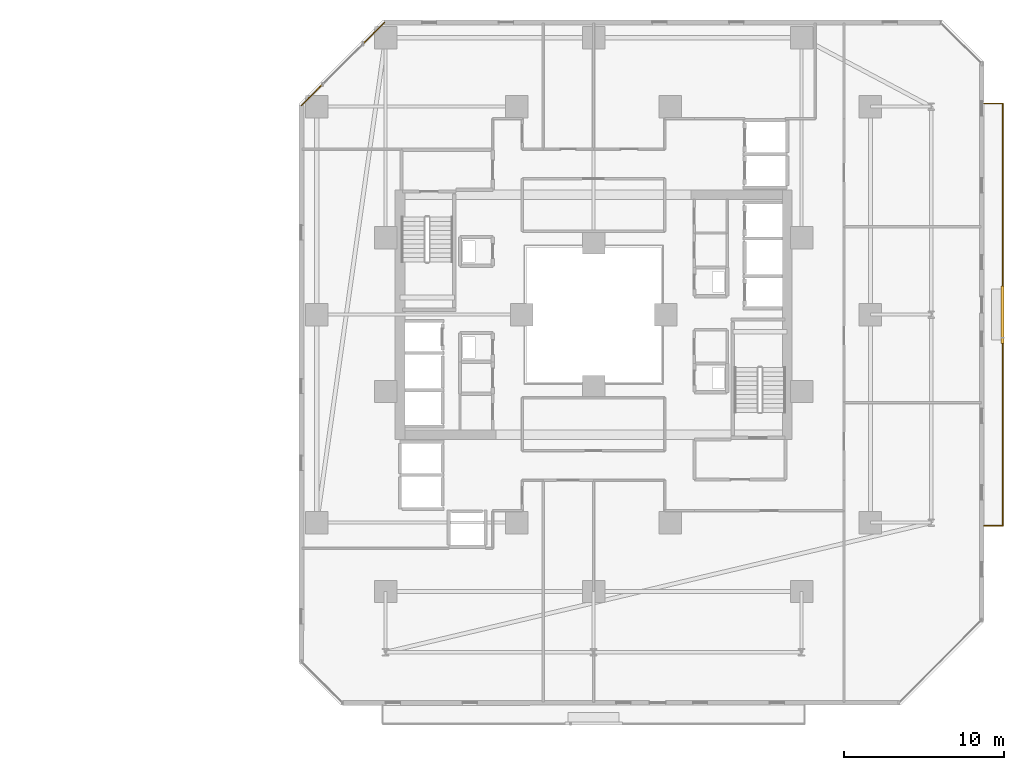
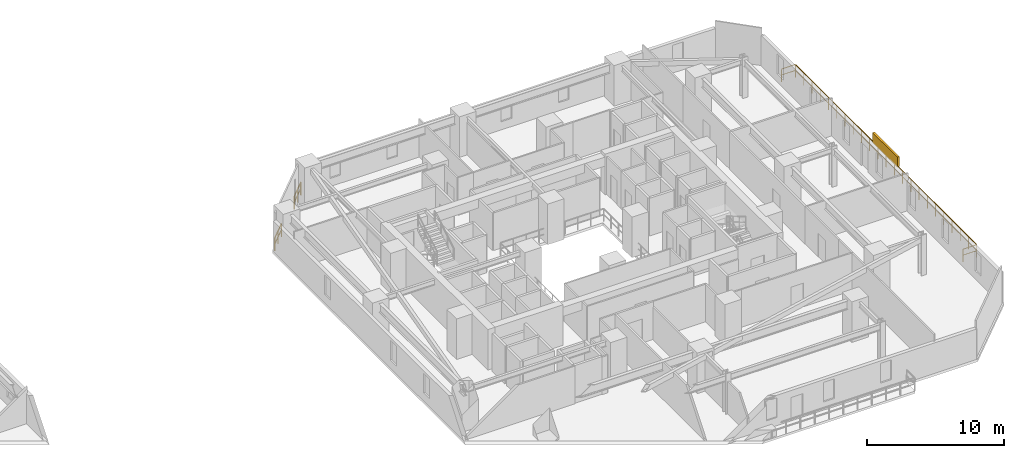
# One storey, part 33 of 33: 3 railings, 1 shading device.
"""IFC4 building model written with IfcOpenShell, lengths in metres."""

from ifc_helpers import new_model, si_unit, direction, frame, origin, origin_2d, place, context, subcontext, project, spatial, rectangle, extrude, material, type_object, element, save


model = new_model("IFC4")

# Units and contexts
model_context = context("Model", 3, precision=1e-05, world=origin(), true_north=direction((0.0, 1.0)))
body_context = subcontext(model_context, "Body", "Model", "MODEL_VIEW")
ifc_project = project(units=[si_unit("LENGTHUNIT", "METRE"), si_unit("AREAUNIT", "SQUARE_METRE"), si_unit("VOLUMEUNIT", "CUBIC_METRE"), si_unit("PLANEANGLEUNIT", "RADIAN"), si_unit("MASSUNIT", "GRAM", prefix="KILO")], contexts=[model_context])

# Site, building, storey
site_placement = place(None, origin())
site = spatial("IfcSite", under=ifc_project, at=site_placement, CompositionType="ELEMENT")
building_placement = place(site_placement, origin())
building = spatial("IfcBuilding", under=site, at=building_placement, Name="Thornwick Lancets Civic Towers", CompositionType="ELEMENT")
storey_placement = place(building_placement, frame((0.0, 0.0, 38.699951171875)))
storey = spatial("IfcBuildingStorey", under=building, at=storey_placement, Name="L09", CompositionType="ELEMENT", Elevation=38.699951171875)

# Railings
ifc_material_1 = material(Name="Terracotta-capped laminated glass balustrade S355", Category="masonry")
railing_type = type_object("IfcRailingType", Name="RAIL_TERR_GUARD", PredefinedType="GUARDRAIL", material=ifc_material_1)
railing_1_placement = place(storey_placement, frame((75.426513671875, 45.25634765625, 0.0)))
element("IfcRailing", 1, at=railing_1_placement, inside=storey, type_object=railing_type, Name="L09 Tower B Chamfer Spandrel Guard E5-1", PredefinedType="GUARDRAIL", context=body_context, shape_type="SweptSolid", body=[
    extrude(rectangle(XDim=0.048095703125, YDim=0.048095703125, at=origin_2d()), frame((0.0, 0.0, 1.1259765625), z_axis=(-0.707041649074, -0.7071719073, 0.0), x_axis=(0.7071719073, -0.707041649074, 0.0)), (0.0, 0.0, 1.0), 1.874267578125),
    extrude(rectangle(XDim=0.0419921875, YDim=0.0419921875, at=origin_2d()), frame((-0.026611328125, -0.026611328125, 0.597900390625), z_axis=(-0.707041649074, -0.7071719073, 0.0), x_axis=(0.7071719073, -0.707041649074, 0.0)), (0.0, 0.0, 1.0), 0.862060546875),
    extrude(rectangle(XDim=0.0419921875, YDim=0.0419921875, at=origin_2d()), frame((-0.689208984375, -0.689208984375, 0.597900390625), z_axis=(-0.707041649074, -0.7071719073, 0.0), x_axis=(0.7071719073, -0.707041649074, 0.0)), (0.0, 0.0, 1.0), 0.862060546875),
    extrude(rectangle(XDim=0.0419921875, YDim=0.0419921875, at=origin_2d()), origin(), (0.0, 0.0, 1.0), 1.095703125),
    extrude(rectangle(XDim=0.0419921875, YDim=0.0419921875, at=origin_2d()), frame((-0.66259765625, -0.66259765625, 0.0)), (0.0, 0.0, 1.0), 1.095703125),
    extrude(rectangle(XDim=0.0419921875, YDim=0.0419921875, at=origin_2d()), frame((-1.3251953125, -1.325439453125, 0.0)), (0.0, 0.0, 1.0), 1.095703125),
])
railing_2_placement = place(storey_placement, frame((71.569091796875, 41.398681640625, 0.0)))
element("IfcRailing", 2, at=railing_2_placement, inside=storey, type_object=railing_type, Name="L09 Tower B Chamfer Spandrel Guard E5-2", PredefinedType="GUARDRAIL", context=body_context, shape_type="SweptSolid", body=[
    extrude(rectangle(XDim=0.048095703125, YDim=0.048095703125, at=origin_2d()), frame((0.0, 0.0, 1.1259765625), z_axis=(-0.7071719073, -0.707041649074, 0.0), x_axis=(0.707041649074, -0.7071719073, 0.0)), (0.0, 0.0, 1.0), 1.874267578125),
    extrude(rectangle(XDim=0.0419921875, YDim=0.0419921875, at=origin_2d()), frame((-0.026611328125, -0.026611328125, 0.597900390625), z_axis=(-0.7071719073, -0.707041649074, 0.0), x_axis=(0.707041649074, -0.7071719073, 0.0)), (0.0, 0.0, 1.0), 0.862060546875),
    extrude(rectangle(XDim=0.0419921875, YDim=0.0419921875, at=origin_2d()), frame((-0.689208984375, -0.689208984375, 0.597900390625), z_axis=(-0.7071719073, -0.707041649074, 0.0), x_axis=(0.707041649074, -0.7071719073, 0.0)), (0.0, 0.0, 1.0), 0.862060546875),
    extrude(rectangle(XDim=0.0419921875, YDim=0.0419921875, at=origin_2d()), origin(), (0.0, 0.0, 1.0), 1.095703125),
    extrude(rectangle(XDim=0.0419921875, YDim=0.0419921875, at=origin_2d()), frame((-0.66259765625, -0.66259765625, 0.0)), (0.0, 0.0, 1.0), 1.095703125),
    extrude(rectangle(XDim=0.0419921875, YDim=0.0419921875, at=origin_2d()), frame((-1.325439453125, -1.3251953125, 0.0)), (0.0, 0.0, 1.0), 1.095703125),
])
railing_3_placement = place(storey_placement, frame((112.89990234375, 13.800048828125, 0.0)))
element("IfcRailing", 3, at=railing_3_placement, inside=storey, type_object=railing_type, Name="L09 Tower B Balcony Guard E", PredefinedType="GUARDRAIL", context=body_context, shape_type="SweptSolid", body=[
    extrude(rectangle(XDim=0.048095703125, YDim=0.048095703125, at=origin_2d()), frame((0.0, 0.0, 1.1259765625), z_axis=(1.0, 0.0, 0.0), x_axis=(0.0, 1.0, 0.0)), (0.0, 0.0, 1.0), 1.138916015625),
    extrude(rectangle(XDim=0.0419921875, YDim=0.0419921875, at=origin_2d()), frame((0.03759765625, 0.0, 0.597900390625), z_axis=(1.0, 0.0, 0.0), x_axis=(0.0, 1.0, 0.0)), (0.0, 0.0, 1.0), 1.09521484375),
    extrude(rectangle(XDim=0.048095703125, YDim=0.048095703125, at=origin_2d()), frame((1.170166015625, 0.03125, 1.1259765625), z_axis=(0.0, 1.0, 0.0), x_axis=(-1.0, 0.0, 0.0)), (0.0, 0.0, 1.0), 26.33740234375),
    extrude(rectangle(XDim=0.0419921875, YDim=0.0419921875, at=origin_2d()), frame((1.170166015625, 0.03759765625, 0.597900390625), z_axis=(0.0, 1.0, 0.0), x_axis=(-1.0, 0.0, 0.0)), (0.0, 0.0, 1.0), 1.125),
    extrude(rectangle(XDim=0.0419921875, YDim=0.0419921875, at=origin_2d()), frame((1.170166015625, 1.237548828125, 0.597900390625), z_axis=(0.0, 1.0, 0.0), x_axis=(-1.0, 0.0, 0.0)), (0.0, 0.0, 1.0), 1.125),
    extrude(rectangle(XDim=0.0419921875, YDim=0.0419921875, at=origin_2d()), frame((1.170166015625, 2.4375, 0.597900390625), z_axis=(0.0, 1.0, 0.0), x_axis=(-1.0, 0.0, 0.0)), (0.0, 0.0, 1.0), 1.125),
    extrude(rectangle(XDim=0.0419921875, YDim=0.0419921875, at=origin_2d()), frame((1.170166015625, 3.637451171875, 0.597900390625), z_axis=(0.0, 1.0, 0.0), x_axis=(-1.0, 0.0, 0.0)), (0.0, 0.0, 1.0), 1.125),
    extrude(rectangle(XDim=0.0419921875, YDim=0.0419921875, at=origin_2d()), frame((1.170166015625, 4.83740234375, 0.597900390625), z_axis=(0.0, 1.0, 0.0), x_axis=(-1.0, 0.0, 0.0)), (0.0, 0.0, 1.0), 1.125),
    extrude(rectangle(XDim=0.0419921875, YDim=0.0419921875, at=origin_2d()), frame((1.170166015625, 6.037353515625, 0.597900390625), z_axis=(0.0, 1.0, 0.0), x_axis=(-1.0, 0.0, 0.0)), (0.0, 0.0, 1.0), 1.125),
    extrude(rectangle(XDim=0.0419921875, YDim=0.0419921875, at=origin_2d()), frame((1.170166015625, 7.237548828125, 0.597900390625), z_axis=(0.0, 1.0, 0.0), x_axis=(-1.0, 0.0, 0.0)), (0.0, 0.0, 1.0), 1.125),
    extrude(rectangle(XDim=0.0419921875, YDim=0.0419921875, at=origin_2d()), frame((1.170166015625, 8.4375, 0.597900390625), z_axis=(0.0, 1.0, 0.0), x_axis=(-1.0, 0.0, 0.0)), (0.0, 0.0, 1.0), 1.125),
    extrude(rectangle(XDim=0.0419921875, YDim=0.0419921875, at=origin_2d()), frame((1.170166015625, 9.637451171875, 0.597900390625), z_axis=(0.0, 1.0, 0.0), x_axis=(-1.0, 0.0, 0.0)), (0.0, 0.0, 1.0), 1.125),
    extrude(rectangle(XDim=0.0419921875, YDim=0.0419921875, at=origin_2d()), frame((1.170166015625, 10.83740234375, 0.597900390625), z_axis=(0.0, 1.0, 0.0), x_axis=(-1.0, 0.0, 0.0)), (0.0, 0.0, 1.0), 1.125),
    extrude(rectangle(XDim=0.0419921875, YDim=0.0419921875, at=origin_2d()), frame((1.170166015625, 12.037353515625, 0.597900390625), z_axis=(0.0, 1.0, 0.0), x_axis=(-1.0, 0.0, 0.0)), (0.0, 0.0, 1.0), 1.125),
    extrude(rectangle(XDim=0.0419921875, YDim=0.0419921875, at=origin_2d()), frame((1.170166015625, 13.237548828125, 0.597900390625), z_axis=(0.0, 1.0, 0.0), x_axis=(-1.0, 0.0, 0.0)), (0.0, 0.0, 1.0), 1.125),
    extrude(rectangle(XDim=0.0419921875, YDim=0.0419921875, at=origin_2d()), frame((1.170166015625, 14.4375, 0.597900390625), z_axis=(0.0, 1.0, 0.0), x_axis=(-1.0, 0.0, 0.0)), (0.0, 0.0, 1.0), 1.125),
    extrude(rectangle(XDim=0.0419921875, YDim=0.0419921875, at=origin_2d()), frame((1.170166015625, 15.637451171875, 0.597900390625), z_axis=(0.0, 1.0, 0.0), x_axis=(-1.0, 0.0, 0.0)), (0.0, 0.0, 1.0), 1.125),
    extrude(rectangle(XDim=0.0419921875, YDim=0.0419921875, at=origin_2d()), frame((1.170166015625, 16.83740234375, 0.597900390625), z_axis=(0.0, 1.0, 0.0), x_axis=(-1.0, 0.0, 0.0)), (0.0, 0.0, 1.0), 1.125),
    extrude(rectangle(XDim=0.0419921875, YDim=0.0419921875, at=origin_2d()), frame((1.170166015625, 18.037353515625, 0.597900390625), z_axis=(0.0, 1.0, 0.0), x_axis=(-1.0, 0.0, 0.0)), (0.0, 0.0, 1.0), 1.125),
    extrude(rectangle(XDim=0.0419921875, YDim=0.0419921875, at=origin_2d()), frame((1.170166015625, 19.2373046875, 0.597900390625), z_axis=(0.0, 1.0, 0.0), x_axis=(-1.0, 0.0, 0.0)), (0.0, 0.0, 1.0), 1.125),
    extrude(rectangle(XDim=0.0419921875, YDim=0.0419921875, at=origin_2d()), frame((1.170166015625, 20.4375, 0.597900390625), z_axis=(0.0, 1.0, 0.0), x_axis=(-1.0, 0.0, 0.0)), (0.0, 0.0, 1.0), 1.125),
    extrude(rectangle(XDim=0.0419921875, YDim=0.0419921875, at=origin_2d()), frame((1.170166015625, 21.637451171875, 0.597900390625), z_axis=(0.0, 1.0, 0.0), x_axis=(-1.0, 0.0, 0.0)), (0.0, 0.0, 1.0), 1.125),
    extrude(rectangle(XDim=0.0419921875, YDim=0.0419921875, at=origin_2d()), frame((1.170166015625, 22.83740234375, 0.597900390625), z_axis=(0.0, 1.0, 0.0), x_axis=(-1.0, 0.0, 0.0)), (0.0, 0.0, 1.0), 1.125),
    extrude(rectangle(XDim=0.0419921875, YDim=0.0419921875, at=origin_2d()), frame((1.170166015625, 24.037353515625, 0.597900390625), z_axis=(0.0, 1.0, 0.0), x_axis=(-1.0, 0.0, 0.0)), (0.0, 0.0, 1.0), 1.125),
    extrude(rectangle(XDim=0.0419921875, YDim=0.0419921875, at=origin_2d()), frame((1.170166015625, 25.2373046875, 0.597900390625), z_axis=(0.0, 1.0, 0.0), x_axis=(-1.0, 0.0, 0.0)), (0.0, 0.0, 1.0), 1.125),
    extrude(rectangle(XDim=0.048095703125, YDim=0.048095703125, at=origin_2d()), frame((1.138916015625, 26.39990234375, 1.1259765625), z_axis=(-1.0, 0.0, 0.0), x_axis=(0.0, -1.0, 0.0)), (0.0, 0.0, 1.0), 1.138916015625),
    extrude(rectangle(XDim=0.0419921875, YDim=0.0419921875, at=origin_2d()), frame((1.132568359375, 26.39990234375, 0.597900390625), z_axis=(-1.0, 0.0, 0.0), x_axis=(0.0, -1.0, 0.0)), (0.0, 0.0, 1.0), 1.09521484375),
    extrude(rectangle(XDim=0.0419921875, YDim=0.0419921875, at=origin_2d()), origin(), (0.0, 0.0, 1.0), 1.095703125),
    extrude(rectangle(XDim=0.0419921875, YDim=0.0419921875, at=origin_2d()), frame((1.170166015625, 0.0, 0.0)), (0.0, 0.0, 1.0), 1.095703125),
    extrude(rectangle(XDim=0.0419921875, YDim=0.0419921875, at=origin_2d()), frame((1.170166015625, 1.199951171875, 0.0)), (0.0, 0.0, 1.0), 1.095703125),
    extrude(rectangle(XDim=0.0419921875, YDim=0.0419921875, at=origin_2d()), frame((1.170166015625, 2.39990234375, 0.0)), (0.0, 0.0, 1.0), 1.095703125),
    extrude(rectangle(XDim=0.0419921875, YDim=0.0419921875, at=origin_2d()), frame((1.170166015625, 3.60009765625, 0.0)), (0.0, 0.0, 1.0), 1.095703125),
    extrude(rectangle(XDim=0.0419921875, YDim=0.0419921875, at=origin_2d()), frame((1.170166015625, 4.800048828125, 0.0)), (0.0, 0.0, 1.0), 1.095703125),
    extrude(rectangle(XDim=0.0419921875, YDim=0.0419921875, at=origin_2d()), frame((1.170166015625, 6.0, 0.0)), (0.0, 0.0, 1.0), 1.095703125),
    extrude(rectangle(XDim=0.0419921875, YDim=0.0419921875, at=origin_2d()), frame((1.170166015625, 7.199951171875, 0.0)), (0.0, 0.0, 1.0), 1.095703125),
    extrude(rectangle(XDim=0.0419921875, YDim=0.0419921875, at=origin_2d()), frame((1.170166015625, 8.39990234375, 0.0)), (0.0, 0.0, 1.0), 1.095703125),
    extrude(rectangle(XDim=0.0419921875, YDim=0.0419921875, at=origin_2d()), frame((1.170166015625, 9.599853515625, 0.0)), (0.0, 0.0, 1.0), 1.095703125),
    extrude(rectangle(XDim=0.0419921875, YDim=0.0419921875, at=origin_2d()), frame((1.170166015625, 10.800048828125, 0.0)), (0.0, 0.0, 1.0), 1.095703125),
    extrude(rectangle(XDim=0.0419921875, YDim=0.0419921875, at=origin_2d()), frame((1.170166015625, 12.0, 0.0)), (0.0, 0.0, 1.0), 1.095703125),
    extrude(rectangle(XDim=0.0419921875, YDim=0.0419921875, at=origin_2d()), frame((1.170166015625, 13.199951171875, 0.0)), (0.0, 0.0, 1.0), 1.095703125),
    extrude(rectangle(XDim=0.0419921875, YDim=0.0419921875, at=origin_2d()), frame((1.170166015625, 14.39990234375, 0.0)), (0.0, 0.0, 1.0), 1.095703125),
    extrude(rectangle(XDim=0.0419921875, YDim=0.0419921875, at=origin_2d()), frame((1.170166015625, 15.599853515625, 0.0)), (0.0, 0.0, 1.0), 1.095703125),
    extrude(rectangle(XDim=0.0419921875, YDim=0.0419921875, at=origin_2d()), frame((1.170166015625, 16.800048828125, 0.0)), (0.0, 0.0, 1.0), 1.095703125),
    extrude(rectangle(XDim=0.0419921875, YDim=0.0419921875, at=origin_2d()), frame((1.170166015625, 18.0, 0.0)), (0.0, 0.0, 1.0), 1.095703125),
    extrude(rectangle(XDim=0.0419921875, YDim=0.0419921875, at=origin_2d()), frame((1.170166015625, 19.199951171875, 0.0)), (0.0, 0.0, 1.0), 1.095703125),
    extrude(rectangle(XDim=0.0419921875, YDim=0.0419921875, at=origin_2d()), frame((1.170166015625, 20.39990234375, 0.0)), (0.0, 0.0, 1.0), 1.095703125),
    extrude(rectangle(XDim=0.0419921875, YDim=0.0419921875, at=origin_2d()), frame((1.170166015625, 21.599853515625, 0.0)), (0.0, 0.0, 1.0), 1.095703125),
    extrude(rectangle(XDim=0.0419921875, YDim=0.0419921875, at=origin_2d()), frame((1.170166015625, 22.7998046875, 0.0)), (0.0, 0.0, 1.0), 1.095703125),
    extrude(rectangle(XDim=0.0419921875, YDim=0.0419921875, at=origin_2d()), frame((1.170166015625, 24.0, 0.0)), (0.0, 0.0, 1.0), 1.095703125),
    extrude(rectangle(XDim=0.0419921875, YDim=0.0419921875, at=origin_2d()), frame((1.170166015625, 25.199951171875, 0.0)), (0.0, 0.0, 1.0), 1.095703125),
    extrude(rectangle(XDim=0.0419921875, YDim=0.0419921875, at=origin_2d()), frame((1.170166015625, 26.39990234375, 0.0)), (0.0, 0.0, 1.0), 1.095703125),
    extrude(rectangle(XDim=0.0419921875, YDim=0.0419921875, at=origin_2d()), frame((0.0, 26.39990234375, 0.0)), (0.0, 0.0, 1.0), 1.095703125),
])

# Shading device
ifc_material_2 = material(Name="Extruded terracotta baguette solar screen", Category="masonry")
shading_device_type = type_object("IfcShadingDeviceType", Name="SHADE_BAGUETTE", PredefinedType="JALOUSIE", material=ifc_material_2)
shading_device_placement = place(storey_placement, frame((114.06005859375, 27.0, 1.1201171875), z_axis=(0.0, 0.0, 1.0), x_axis=(0.0, 1.0, 0.0)))
element("IfcShadingDevice", 4, at=shading_device_placement, inside=storey, type_object=shading_device_type, Name="L09 Tower B Terracotta Baguette Screen E", PredefinedType="JALOUSIE", context=body_context, shape_type="SweptSolid", body=[
    extrude(rectangle(XDim=3.60009765625, YDim=0.179931640625, at=origin_2d()), origin(), (0.0, 0.0, 1.0), 0.89990234375),
])

save(model, "model.ifc")
